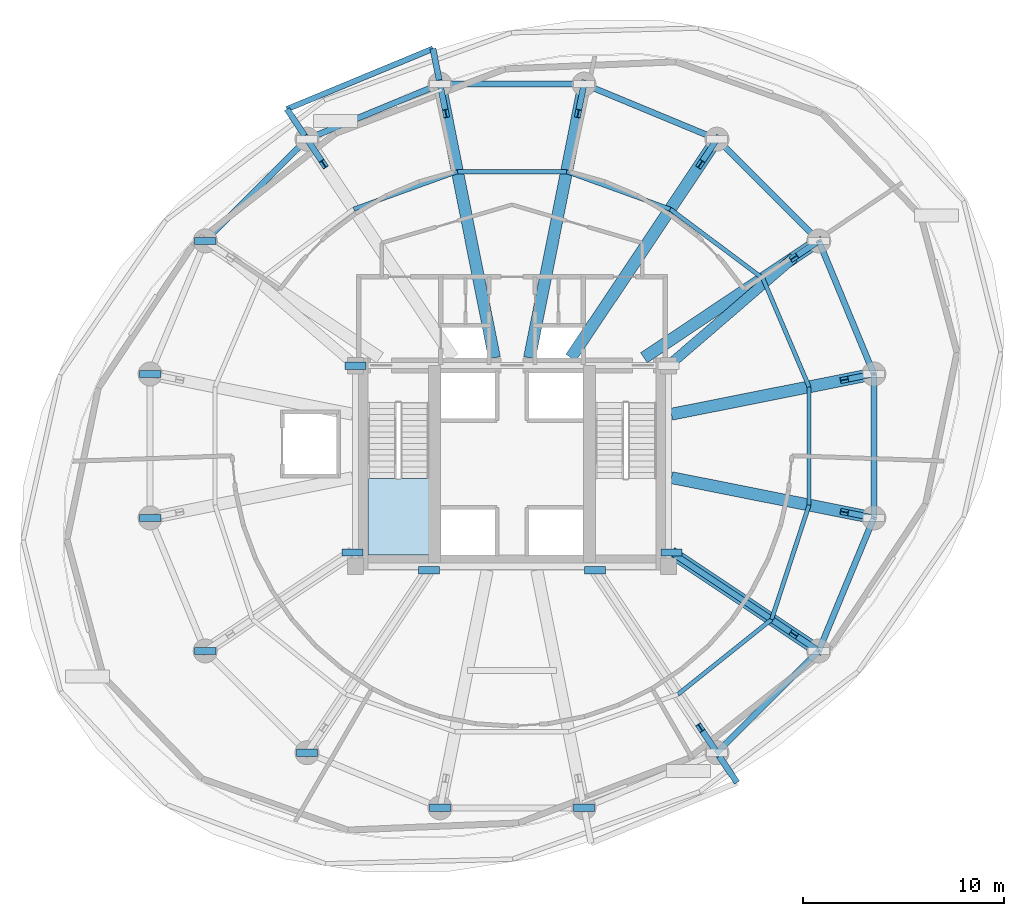
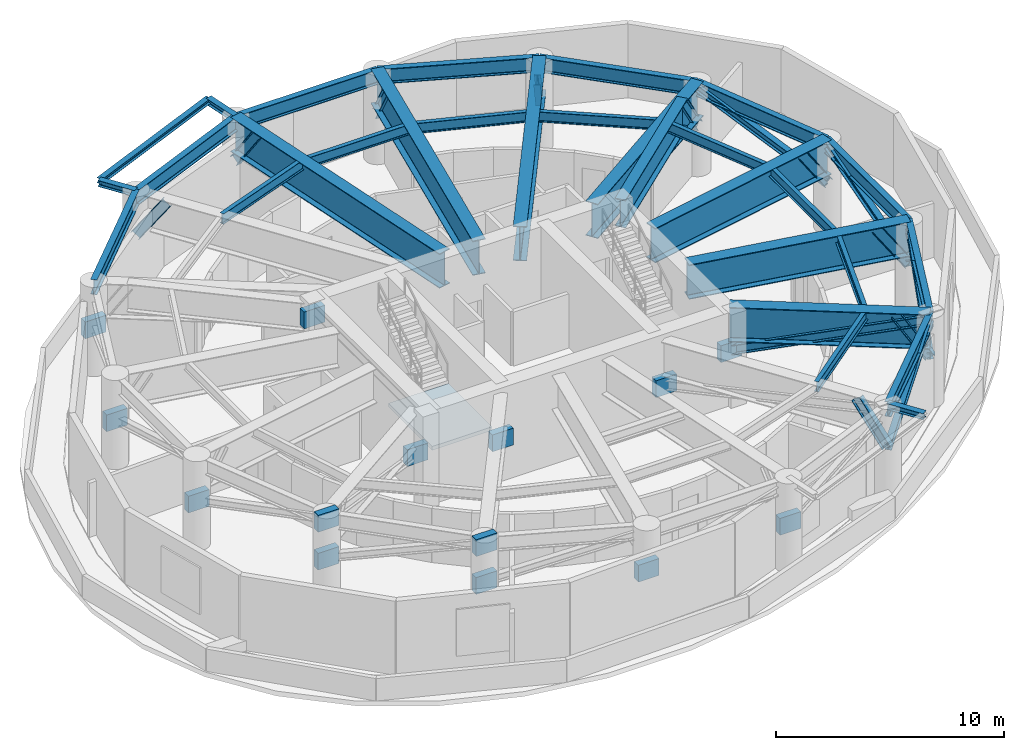
# One storey, part 2 of 7: 29 beams, 14 members, 14 plates, 1 slab, 1 element without a shape of its own.
"""IFC4 building model written with IfcOpenShell, lengths in metres."""

from ifc_helpers import new_model, si_unit, direction, frame, origin, origin_2d, place, context, subcontext, project, spatial, polyline, rectangle, i_section, outline, extrude, material, layer, layer_set, material_profile, profile_set, type_object, element, aggregate, save


model = new_model("IFC4")

# Units and contexts
model_context = context("Model", 3, precision=1e-05, world=origin(), true_north=direction((0.0, 1.0)))
body_context = subcontext(model_context, "Body", "Model", "MODEL_VIEW")
ifc_project = project(units=[si_unit("LENGTHUNIT", "METRE"), si_unit("AREAUNIT", "SQUARE_METRE"), si_unit("VOLUMEUNIT", "CUBIC_METRE"), si_unit("PLANEANGLEUNIT", "RADIAN"), si_unit("MASSUNIT", "GRAM", prefix="KILO"), si_unit("THERMODYNAMICTEMPERATUREUNIT", "KELVIN"), si_unit("POWERUNIT", "WATT")], contexts=[model_context])

# Site, building, storey
site_placement = place(None, origin())
site = spatial("IfcSite", under=ifc_project, at=site_placement, CompositionType="ELEMENT")
building_placement = place(site_placement, origin())
building = spatial("IfcBuilding", under=site, at=building_placement, Name="Ocrelia Relay Tower", CompositionType="ELEMENT")
storey_placement = place(building_placement, frame((0.0, 0.0, 157.800048828125)))
storey = spatial("IfcBuildingStorey", under=building, at=storey_placement, Name="L37", CompositionType="ELEMENT", Elevation=157.800048828125)

# Beams
ifc_material_1 = material(Name="Steel S355", Category="steel")
ifc_material_profile_1 = material_profile(ifc_material_1, i_section(OverallWidth=0.280029296875, OverallDepth=0.27001953125, WebThickness=0.008056640625, FlangeThickness=0.012939453125, FilletRadius=0.02392578125, at=origin_2d()), Name="HEA 280")
ifc_profile_set_1 = profile_set([ifc_material_profile_1], Name="Steel S355")
beam_type_1 = type_object("IfcBeamType", Name="BM-HEA280", PredefinedType="BEAM", material=ifc_profile_set_1)
beam_1_placement = place(storey_placement, frame((30.05908203125, 45.811767578125, 4.64501953125), z_axis=(-0.923878650857, -0.382685560861, 0.0), x_axis=(0.382685560861, -0.923878650857, 0.0)))
element("IfcBeam", 1, at=beam_1_placement, inside=storey, type_object=beam_type_1, Name="L38 Balcony Edge Trimmer Beam B1", PredefinedType="BEAM", context=body_context, shape_type="SweptSolid", body=[
    extrude(i_section(OverallWidth=0.280029296875, OverallDepth=0.27001953125, WebThickness=0.008056640625, FlangeThickness=0.012939453125, FilletRadius=0.02392578125, at=origin_2d()), origin(), (0.0, 0.0, 1.0), 7.88134765625),
])
ifc_material_profile_2 = material_profile(ifc_material_1, i_section(OverallWidth=0.300048828125, OverallDepth=0.330078125, WebThickness=0.009521484375, FlangeThickness=0.0166015625, FilletRadius=0.027099609375, at=origin_2d()), Name="HEA 340")
ifc_profile_set_2 = profile_set([ifc_material_profile_2], Name="Steel S355")
beam_type_2 = type_object("IfcBeamType", Name="BM-HEA340", PredefinedType="BEAM", material=ifc_profile_set_2)
for number, where, z_axis, x_axis, name in (
    (2, (30.410400390625, 44.04638671875, 4.614990234375), (-0.19517704197, 0.980768026746, 0.0), (-0.980768026746, -0.19517704197, 0.0), "L38 Balcony Cantilever Beam B1-1"),
    (3, (23.777587890625, 41.299072265625, 4.614990234375), (-0.555576323502, 0.83146554274, 0.0), (-0.83146554274, -0.555576323502, 0.0), "L38 Balcony Cantilever Beam B1-2"),
    (4, (44.222412109375, 10.700927734375, 4.614990234375), (0.555576323502, -0.83146554274, 0.0), (0.83146554274, 0.555576323502, 0.0), "L38 Balcony Cantilever Beam B2-2"),
):
    element("IfcBeam", number, at=place(storey_placement, frame(where, z_axis=z_axis, x_axis=x_axis)), inside=storey, type_object=beam_type_2, Name=name, PredefinedType="BEAM", context=body_context, shape_type="SweptSolid", body=[
        extrude(i_section(OverallWidth=0.300048828125, OverallDepth=0.330078125, WebThickness=0.009521484375, FlangeThickness=0.0166015625, FilletRadius=0.027099609375, at=origin_2d()), origin(), (0.0, 0.0, 1.0), 1.800048828125),
    ])
ifc_material_profile_3 = material_profile(ifc_material_1, i_section(OverallWidth=0.300048828125, OverallDepth=0.800048828125, WebThickness=0.017578125, FlangeThickness=0.032958984375, FilletRadius=0.030029296875, at=origin_2d()), Name="HEB 800")
ifc_profile_set_3 = profile_set([ifc_material_profile_3], Name="Steel S355")
beam_type_3 = type_object("IfcBeamType", Name="BM-HEB800", PredefinedType="BEAM", material=ifc_profile_set_3)
beam_2_placement = place(storey_placement, frame((52.04638671875, 29.589599609375, 4.3798828125), z_axis=(-0.382673155247, 0.923883789366, 0.0), x_axis=(-0.923883789366, -0.382673155247, 0.0)))
element("IfcBeam", 5, at=beam_2_placement, inside=storey, type_object=beam_type_3, Name="L37 Perimeter Spandrel Beam S01", PredefinedType="BEAM", context=body_context, shape_type="SweptSolid", body=[
    extrude(i_section(OverallWidth=0.300048828125, OverallDepth=0.800048828125, WebThickness=0.017578125, FlangeThickness=0.032958984375, FilletRadius=0.030029296875, at=origin_2d()), origin(), (0.0, 0.0, 1.0), 7.17919921875),
])
beam_3_placement = place(storey_placement, frame((49.299072265625, 36.222412109375, 4.3798828125), z_axis=(-0.707106781187, 0.707106781187, 0.0), x_axis=(-0.707106781187, -0.707106781187, 0.0)))
element("IfcBeam", 6, at=beam_3_placement, inside=storey, type_object=beam_type_3, Name="L37 Perimeter Spandrel Beam S02", PredefinedType="BEAM", context=body_context, shape_type="SweptSolid", body=[
    extrude(i_section(OverallWidth=0.300048828125, OverallDepth=0.800048828125, WebThickness=0.017578125, FlangeThickness=0.032958984375, FilletRadius=0.030029296875, at=origin_2d()), origin(), (0.0, 0.0, 1.0), 7.179443359375),
])
for number, where, z_axis, x_axis, name in (
    (7, (44.222412109375, 41.299072265625, 4.3798828125), (-0.923883789366, 0.382673155247, 0.0), (-0.382673155247, -0.923883789366, 0.0), "L37 Perimeter Spandrel Beam S03"),
    (8, (37.589599609375, 44.04638671875, 4.3798828125), (-1.0, 0.0, 0.0), (0.0, -1.0, 0.0), "L37 Perimeter Spandrel Beam S04"),
    (9, (30.410400390625, 44.04638671875, 4.3798828125), (-0.923883789366, -0.382673155247, 0.0), (0.382673155247, -0.923883789366, 0.0), "L37 Perimeter Spandrel Beam S05"),
):
    element("IfcBeam", number, at=place(storey_placement, frame(where, z_axis=z_axis, x_axis=x_axis)), inside=storey, type_object=beam_type_3, Name=name, PredefinedType="BEAM", context=body_context, shape_type="SweptSolid", body=[
        extrude(i_section(OverallWidth=0.300048828125, OverallDepth=0.800048828125, WebThickness=0.017578125, FlangeThickness=0.032958984375, FilletRadius=0.030029296875, at=origin_2d()), origin(), (0.0, 0.0, 1.0), 7.17919921875),
    ])
for number, where, z_axis, x_axis, name in (
    (10, (23.777587890625, 41.299072265625, 4.3798828125), (-0.707106781187, -0.707106781187, 0.0), (0.707106781187, -0.707106781187, 0.0), "L37 Perimeter Spandrel Beam S06"),
    (11, (44.222412109375, 10.700927734375, 4.3798828125), (0.707106781187, 0.707106781187, 0.0), (-0.707106781187, 0.707106781187, 0.0), "L37 Perimeter Spandrel Beam S14"),
):
    element("IfcBeam", number, at=place(storey_placement, frame(where, z_axis=z_axis, x_axis=x_axis)), inside=storey, type_object=beam_type_3, Name=name, PredefinedType="BEAM", context=body_context, shape_type="SweptSolid", body=[
        extrude(i_section(OverallWidth=0.300048828125, OverallDepth=0.800048828125, WebThickness=0.017578125, FlangeThickness=0.032958984375, FilletRadius=0.030029296875, at=origin_2d()), origin(), (0.0, 0.0, 1.0), 7.179443359375),
    ])
for number, where, z_axis, x_axis, name in (
    (12, (49.299072265625, 15.777587890625, 4.3798828125), (0.382673155247, 0.923883789366, 0.0), (-0.923883789366, 0.382673155247, 0.0), "L37 Perimeter Spandrel Beam S15"),
    (13, (52.04638671875, 22.410400390625, 4.3798828125), (0.0, 1.0, 0.0), (-1.0, 0.0, 0.0), "L37 Perimeter Spandrel Beam S16"),
):
    element("IfcBeam", number, at=place(storey_placement, frame(where, z_axis=z_axis, x_axis=x_axis)), inside=storey, type_object=beam_type_3, Name=name, PredefinedType="BEAM", context=body_context, shape_type="SweptSolid", body=[
        extrude(i_section(OverallWidth=0.300048828125, OverallDepth=0.800048828125, WebThickness=0.017578125, FlangeThickness=0.032958984375, FilletRadius=0.030029296875, at=origin_2d()), origin(), (0.0, 0.0, 1.0), 7.17919921875),
    ])
ifc_material_profile_4 = material_profile(ifc_material_1, i_section(OverallWidth=0.2099609375, OverallDepth=0.550048828125, WebThickness=0.010986328125, FlangeThickness=0.01708984375, FilletRadius=0.02392578125, at=origin_2d()), Name="IPE 550")
ifc_profile_set_4 = profile_set([ifc_material_profile_4], Name="Steel S355")
beam_type_4 = type_object("IfcBeamType", Name="BM-IPE550", PredefinedType="JOIST", material=ifc_profile_set_4)
beam_4_placement = place(storey_placement, frame((48.815673828125, 28.947021484375, 4.5048828125), z_axis=(-0.391849705227, 0.920029243293, 0.0), x_axis=(-0.920029243293, -0.391849705227, 0.0)))
element("IfcBeam", 14, at=beam_4_placement, inside=storey, type_object=beam_type_4, Name="L37 Secondary Floor Joist J01", PredefinedType="JOIST", context=body_context, shape_type="SweptSolid", body=[
    extrude(i_section(OverallWidth=0.2099609375, OverallDepth=0.550048828125, WebThickness=0.010986328125, FlangeThickness=0.01708984375, FilletRadius=0.02392578125, at=origin_2d()), origin(), (0.0, 0.0, 1.0), 5.8828125),
])
beam_5_placement = place(storey_placement, frame((46.510498046875, 34.359375, 4.5048828125), z_axis=(-0.800989719568, 0.598678101442, 0.0), x_axis=(-0.598678101442, -0.800989719568, 0.0)))
element("IfcBeam", 15, at=beam_5_placement, inside=storey, type_object=beam_type_4, Name="L37 Secondary Floor Joist J02", PredefinedType="JOIST", context=body_context, shape_type="SweptSolid", body=[
    extrude(i_section(OverallWidth=0.2099609375, OverallDepth=0.550048828125, WebThickness=0.010986328125, FlangeThickness=0.01708984375, FilletRadius=0.02392578125, at=origin_2d()), origin(), (0.0, 0.0, 1.0), 5.765869140625),
])
beam_6_placement = place(storey_placement, frame((41.89208984375, 37.811279296875, 4.5048828125), z_axis=(-0.940487684239, 0.339827773724, 0.0), x_axis=(-0.339827773724, -0.940487684239, 0.0)))
element("IfcBeam", 16, at=beam_6_placement, inside=storey, type_object=beam_type_4, Name="L37 Secondary Floor Joist J03", PredefinedType="JOIST", context=body_context, shape_type="SweptSolid", body=[
    extrude(i_section(OverallWidth=0.2099609375, OverallDepth=0.550048828125, WebThickness=0.010986328125, FlangeThickness=0.01708984375, FilletRadius=0.02392578125, at=origin_2d()), origin(), (0.0, 0.0, 1.0), 5.498046875),
])
beam_7_placement = place(storey_placement, frame((36.72119140625, 39.6796875, 4.5048828125), z_axis=(-1.0, 0.0, 0.0), x_axis=(0.0, -1.0, 0.0)))
element("IfcBeam", 17, at=beam_7_placement, inside=storey, type_object=beam_type_4, Name="L37 Secondary Floor Joist J04", PredefinedType="JOIST", context=body_context, shape_type="SweptSolid", body=[
    extrude(i_section(OverallWidth=0.2099609375, OverallDepth=0.550048828125, WebThickness=0.010986328125, FlangeThickness=0.01708984375, FilletRadius=0.02392578125, at=origin_2d()), origin(), (0.0, 0.0, 1.0), 5.4423828125),
])
beam_8_placement = place(storey_placement, frame((31.27880859375, 39.6796875, 4.5048828125), z_axis=(-0.940487684239, -0.339827773724, 0.0), x_axis=(0.339827773724, -0.940487684239, 0.0)))
element("IfcBeam", 18, at=beam_8_placement, inside=storey, type_object=beam_type_4, Name="L37 Secondary Floor Joist J05", PredefinedType="JOIST", context=body_context, shape_type="SweptSolid", body=[
    extrude(i_section(OverallWidth=0.2099609375, OverallDepth=0.550048828125, WebThickness=0.010986328125, FlangeThickness=0.01708984375, FilletRadius=0.02392578125, at=origin_2d()), origin(), (0.0, 0.0, 1.0), 5.498046875),
])
beam_9_placement = place(storey_placement, frame((42.277099609375, 13.61279296875, 4.5048828125), z_axis=(0.780872792004, 0.624690069321, 0.0), x_axis=(-0.624690069321, 0.780872792004, 0.0)))
element("IfcBeam", 19, at=beam_9_placement, inside=storey, type_object=beam_type_4, Name="L37 Secondary Floor Joist J14", PredefinedType="JOIST", context=body_context, shape_type="SweptSolid", body=[
    extrude(i_section(OverallWidth=0.2099609375, OverallDepth=0.550048828125, WebThickness=0.010986328125, FlangeThickness=0.01708984375, FilletRadius=0.02392578125, at=origin_2d()), origin(), (0.0, 0.0, 1.0), 5.980712890625),
])
beam_10_placement = place(storey_placement, frame((46.947265625, 17.348876953125, 4.5048828125), z_axis=(0.311281530226, 0.950317741043, 0.0), x_axis=(-0.950317741043, 0.311281530226, 0.0)))
element("IfcBeam", 20, at=beam_10_placement, inside=storey, type_object=beam_type_4, Name="L37 Secondary Floor Joist J15", PredefinedType="JOIST", context=body_context, shape_type="SweptSolid", body=[
    extrude(i_section(OverallWidth=0.2099609375, OverallDepth=0.550048828125, WebThickness=0.010986328125, FlangeThickness=0.01708984375, FilletRadius=0.02392578125, at=origin_2d()), origin(), (0.0, 0.0, 1.0), 6.002197265625),
])
beam_11_placement = place(storey_placement, frame((48.815673828125, 23.052978515625, 4.5048828125), z_axis=(0.0, 1.0, 0.0), x_axis=(-1.0, 0.0, 0.0)))
element("IfcBeam", 21, at=beam_11_placement, inside=storey, type_object=beam_type_4, Name="L37 Secondary Floor Joist J16", PredefinedType="JOIST", context=body_context, shape_type="SweptSolid", body=[
    extrude(i_section(OverallWidth=0.2099609375, OverallDepth=0.550048828125, WebThickness=0.010986328125, FlangeThickness=0.01708984375, FilletRadius=0.02392578125, at=origin_2d()), origin(), (0.0, 0.0, 1.0), 5.89404296875),
])
ifc_material_profile_5 = material_profile(ifc_material_1, i_section(OverallWidth=0.5, OverallDepth=1.5, WebThickness=0.02587890625, FlangeThickness=0.0380859375, FilletRadius=0.02001953125, at=origin_2d()), Name="WPG 1500x500")
ifc_profile_set_5 = profile_set([ifc_material_profile_5], Name="Steel S355")
beam_type_5 = type_object("IfcBeamType", Name="BM-WPG1500", PredefinedType="T_BEAM", material=ifc_profile_set_5)
beam_12_placement = place(storey_placement, frame((48.0517578125, 35.38916015625, 4.030029296875), z_axis=(-0.757424589403, -0.652922653434, 0.0), x_axis=(0.652922653434, -0.757424589403, 0.0)))
element("IfcBeam", 22, at=beam_12_placement, inside=storey, type_object=beam_type_5, Name="L37 Zone Setback Core Link Girder XL02", PredefinedType="T_BEAM", context=body_context, shape_type="SweptSolid", body=[
    extrude(i_section(OverallWidth=0.5, OverallDepth=1.5, WebThickness=0.02587890625, FlangeThickness=0.0380859375, FilletRadius=0.02001953125, at=origin_2d()), origin(), (0.0, 0.0, 1.0), 8.25390625),
])
ifc_material_profile_6 = material_profile(ifc_material_1, i_section(OverallWidth=0.60009765625, OverallDepth=1.85009765625, WebThickness=0.028076171875, FlangeThickness=0.0400390625, FilletRadius=0.02001953125, at=origin_2d()), Name="WPG 1850x600")
ifc_profile_set_6 = profile_set([ifc_material_profile_6], Name="Steel S355")
beam_type_6 = type_object("IfcBeamType", Name="BM-WPG1650", PredefinedType="T_BEAM", material=ifc_profile_set_6)
beam_13_placement = place(storey_placement, frame((52.04638671875, 29.589599609375, 3.85498046875), z_axis=(-0.980785375486, -0.195089844003, 0.0), x_axis=(0.195089844003, -0.980785375486, 0.0)))
element("IfcBeam", 23, at=beam_13_placement, inside=storey, type_object=beam_type_6, Name="L37 Radial Transfer Girder R01", PredefinedType="T_BEAM", context=body_context, shape_type="SweptSolid", body=[
    extrude(i_section(OverallWidth=0.60009765625, OverallDepth=1.85009765625, WebThickness=0.028076171875, FlangeThickness=0.0400390625, FilletRadius=0.02001953125, at=origin_2d()), origin(), (0.0, 0.0, 1.0), 10.294189453125),
])
beam_14_placement = place(storey_placement, frame((49.299072265625, 36.222412109375, 3.85498046875), z_axis=(-0.831472841898, -0.555565399558, 0.0), x_axis=(0.555565399558, -0.831472841898, 0.0)))
element("IfcBeam", 24, at=beam_14_placement, inside=storey, type_object=beam_type_6, Name="L37 Radial Transfer Girder R02", PredefinedType="T_BEAM", context=body_context, shape_type="SweptSolid", body=[
    extrude(i_section(OverallWidth=0.60009765625, OverallDepth=1.85009765625, WebThickness=0.028076171875, FlangeThickness=0.0400390625, FilletRadius=0.02001953125, at=origin_2d()), origin(), (0.0, 0.0, 1.0), 10.480224609375),
])
beam_15_placement = place(storey_placement, frame((44.222412109375, 41.299072265625, 3.85498046875), z_axis=(-0.555563808642, -0.831473904898, 0.0), x_axis=(0.831473904898, -0.555563808642, 0.0)))
element("IfcBeam", 25, at=beam_15_placement, inside=storey, type_object=beam_type_6, Name="L37 Radial Transfer Girder R03", PredefinedType="T_BEAM", context=body_context, shape_type="SweptSolid", body=[
    extrude(i_section(OverallWidth=0.60009765625, OverallDepth=1.85009765625, WebThickness=0.028076171875, FlangeThickness=0.0400390625, FilletRadius=0.02001953125, at=origin_2d()), origin(), (0.0, 0.0, 1.0), 13.108154296875),
])
for number, where, z_axis, x_axis, name in (
    (26, (37.589599609375, 44.04638671875, 3.85498046875), (-0.195083474499, -0.980786642434, 0.0), (0.980786642434, -0.195083474499, 0.0), "L37 Radial Transfer Girder R04"),
    (27, (30.410400390625, 44.04638671875, 3.85498046875), (0.195083474499, -0.980786642434, 0.0), (0.980786642434, 0.195083474499, 0.0), "L37 Radial Transfer Girder R05"),
):
    element("IfcBeam", number, at=place(storey_placement, frame(where, z_axis=z_axis, x_axis=x_axis)), inside=storey, type_object=beam_type_6, Name=name, PredefinedType="T_BEAM", context=body_context, shape_type="SweptSolid", body=[
        extrude(i_section(OverallWidth=0.60009765625, OverallDepth=1.85009765625, WebThickness=0.028076171875, FlangeThickness=0.0400390625, FilletRadius=0.02001953125, at=origin_2d()), origin(), (0.0, 0.0, 1.0), 13.913818359375),
    ])
beam_16_placement = place(storey_placement, frame((49.299072265625, 15.777587890625, 3.85498046875), z_axis=(-0.831476162537, 0.555560429776, 0.0), x_axis=(-0.555560429776, -0.831476162537, 0.0)))
element("IfcBeam", 28, at=beam_16_placement, inside=storey, type_object=beam_type_6, Name="L37 Radial Transfer Girder R15", PredefinedType="T_BEAM", context=body_context, shape_type="SweptSolid", body=[
    extrude(i_section(OverallWidth=0.60009765625, OverallDepth=1.85009765625, WebThickness=0.028076171875, FlangeThickness=0.0400390625, FilletRadius=0.02001953125, at=origin_2d()), origin(), (0.0, 0.0, 1.0), 8.838623046875),
])
beam_17_placement = place(storey_placement, frame((52.04638671875, 22.410400390625, 3.85498046875), z_axis=(-0.980785375486, 0.195089844003, 0.0), x_axis=(-0.195089844003, -0.980785375486, 0.0)))
element("IfcBeam", 29, at=beam_17_placement, inside=storey, type_object=beam_type_6, Name="L37 Radial Transfer Girder R16", PredefinedType="T_BEAM", context=body_context, shape_type="SweptSolid", body=[
    extrude(i_section(OverallWidth=0.60009765625, OverallDepth=1.85009765625, WebThickness=0.028076171875, FlangeThickness=0.0400390625, FilletRadius=0.02001953125, at=origin_2d()), origin(), (0.0, 0.0, 1.0), 10.294189453125),
])

# Members
ifc_material_profile_7 = material_profile(ifc_material_1, i_section(OverallWidth=0.300048828125, OverallDepth=0.39990234375, WebThickness=0.013427734375, FlangeThickness=0.02392578125, FilletRadius=0.027099609375, at=origin_2d()), Name="HEB 400")
ifc_profile_set_7 = profile_set([ifc_material_profile_7], Name="Steel S355")
member_type_1 = type_object("IfcMemberType", Name="MB-BELT-DIAG", PredefinedType="BRACE", material=ifc_profile_set_7)
member_1_placement = place(storey_placement, frame((52.04638671875, 29.589599609375, 2.349853515625), z_axis=(-0.367556604036, 0.887388058158, 0.278288657815), x_axis=(-0.923883789366, -0.382673155247, 0.0)))
element("IfcMember", 30, at=member_1_placement, inside=storey, type_object=member_type_1, Name="L37 Perimeter Belt Truss Diagonal B01", PredefinedType="BRACE", context=body_context, shape_type="SweptSolid", body=[
    extrude(i_section(OverallWidth=0.300048828125, OverallDepth=0.39990234375, WebThickness=0.013427734375, FlangeThickness=0.02392578125, FilletRadius=0.027099609375, at=origin_2d()), origin(), (0.0, 0.0, 1.0), 7.474609375),
])
member_2_placement = place(storey_placement, frame((44.222412109375, 10.700927734375, 2.349853515625), z_axis=(0.679175826524, 0.679175826524, 0.278281140809), x_axis=(-0.707106781187, 0.707106781187, 0.0)))
element("IfcMember", 31, at=member_2_placement, inside=storey, type_object=member_type_1, Name="L37 Perimeter Belt Truss Diagonal B14", PredefinedType="BRACE", context=body_context, shape_type="SweptSolid", body=[
    extrude(i_section(OverallWidth=0.300048828125, OverallDepth=0.39990234375, WebThickness=0.013427734375, FlangeThickness=0.02392578125, FilletRadius=0.027099609375, at=origin_2d()), origin(), (0.0, 0.0, 1.0), 7.474853515625),
])
member_3_placement = place(storey_placement, frame((49.299072265625, 15.777587890625, 2.349853515625), z_axis=(0.367556604036, 0.887388058158, 0.278288657815), x_axis=(-0.923883789366, 0.382673155247, 0.0)))
element("IfcMember", 32, at=member_3_placement, inside=storey, type_object=member_type_1, Name="L37 Perimeter Belt Truss Diagonal B15", PredefinedType="BRACE", context=body_context, shape_type="SweptSolid", body=[
    extrude(i_section(OverallWidth=0.300048828125, OverallDepth=0.39990234375, WebThickness=0.013427734375, FlangeThickness=0.02392578125, FilletRadius=0.027099609375, at=origin_2d()), origin(), (0.0, 0.0, 1.0), 7.474609375),
])
member_4_placement = place(storey_placement, frame((52.04638671875, 22.410400390625, 2.349853515625), z_axis=(0.0, 0.960496738936, 0.278291240418), x_axis=(-1.0, 0.0, 0.0)))
element("IfcMember", 33, at=member_4_placement, inside=storey, type_object=member_type_1, Name="L37 Perimeter Belt Truss Diagonal B16", PredefinedType="BRACE", context=body_context, shape_type="SweptSolid", body=[
    extrude(i_section(OverallWidth=0.300048828125, OverallDepth=0.39990234375, WebThickness=0.013427734375, FlangeThickness=0.02392578125, FilletRadius=0.027099609375, at=origin_2d()), origin(), (0.0, 0.0, 1.0), 7.474365234375),
])
ifc_material_profile_8 = material_profile(ifc_material_1, i_section(OverallWidth=0.300048828125, OverallDepth=0.5, WebThickness=0.014404296875, FlangeThickness=0.028076171875, FilletRadius=0.027099609375, at=origin_2d()), Name="HEB 500")
ifc_profile_set_8 = profile_set([ifc_material_profile_8], Name="Steel S355")
member_type_2 = type_object("IfcMemberType", Name="MB-OUTRIGGER-DIAG", PredefinedType="BRACE", material=ifc_profile_set_8)
member_5_placement = place(storey_placement, frame((41.949951171875, 20.68798828125, 2.349853515625), z_axis=(0.81037662172, -0.541462527163, 0.223848302757), x_axis=(0.555560429776, 0.831476162537, 0.0)))
element("IfcMember", 34, at=member_5_placement, inside=storey, type_object=member_type_2, Name="L37 Core Outrigger Truss Brace O15", PredefinedType="BRACE", context=body_context, shape_type="SweptSolid", body=[
    extrude(i_section(OverallWidth=0.300048828125, OverallDepth=0.5, WebThickness=0.014404296875, FlangeThickness=0.028076171875, FilletRadius=0.027099609375, at=origin_2d()), origin(), (0.0, 0.0, 1.0), 9.06884765625),
])
ifc_material_profile_9 = material_profile(ifc_material_1, i_section(OverallWidth=0.300048828125, OverallDepth=0.5, WebThickness=0.014404296875, FlangeThickness=0.028076171875, FilletRadius=0.027099609375, at=origin_2d()), Name="HEB 500")
ifc_profile_set_9 = profile_set([ifc_material_profile_9], Name="Steel S355")
member_type_3 = type_object("IfcMemberType", Name="MB-RAKER-STRUT", PredefinedType="STRUT", material=ifc_profile_set_9)
member_6_placement = place(storey_placement, frame((52.04638671875, 29.589599609375, 2.349853515625), z_axis=(-0.555934386417, -0.110522634406, 0.823845680503), x_axis=(0.194989189992, -0.980805391393, 0.0)))
element("IfcMember", 35, at=member_6_placement, inside=storey, type_object=member_type_3, Name="L37 Zone Setback Raker Strut RS01", PredefinedType="STRUT", context=body_context, shape_type="SweptSolid", body=[
    extrude(i_section(OverallWidth=0.300048828125, OverallDepth=0.5, WebThickness=0.014404296875, FlangeThickness=0.028076171875, FilletRadius=0.027099609375, at=origin_2d()), origin(), (0.0, 0.0, 1.0), 2.646240234375),
])
for number, where, z_axis, x_axis, name in (
    (36, (49.299072265625, 36.222412109375, 2.349853515625), (-0.471330520602, -0.314866131692, 0.82383667038), (0.555488691107, -0.831524091083, 0.0), "L37 Zone Setback Raker Strut RS02"),
    (37, (44.222412109375, 41.299072265625, 2.349853515625), (-0.314866131692, -0.471330520602, 0.82383667038), (0.831524091083, -0.555488691107, 0.0), "L37 Zone Setback Raker Strut RS03"),
):
    element("IfcMember", number, at=place(storey_placement, frame(where, z_axis=z_axis, x_axis=x_axis)), inside=storey, type_object=member_type_3, Name=name, PredefinedType="STRUT", context=body_context, shape_type="SweptSolid", body=[
        extrude(i_section(OverallWidth=0.300048828125, OverallDepth=0.5, WebThickness=0.014404296875, FlangeThickness=0.028076171875, FilletRadius=0.027099609375, at=origin_2d()), origin(), (0.0, 0.0, 1.0), 2.646484375),
    ])
for number, where, z_axis, x_axis, name in (
    (38, (37.589599609375, 44.04638671875, 2.349853515625), (-0.110522634406, -0.555934386417, 0.823845680503), (0.980805391393, -0.194989189992, 0.0), "L37 Zone Setback Raker Strut RS04"),
    (39, (30.410400390625, 44.04638671875, 2.349853515625), (0.110522634406, -0.555934386417, 0.823845680503), (0.980805391393, 0.194989189992, 0.0), "L37 Zone Setback Raker Strut RS05"),
):
    element("IfcMember", number, at=place(storey_placement, frame(where, z_axis=z_axis, x_axis=x_axis)), inside=storey, type_object=member_type_3, Name=name, PredefinedType="STRUT", context=body_context, shape_type="SweptSolid", body=[
        extrude(i_section(OverallWidth=0.300048828125, OverallDepth=0.5, WebThickness=0.014404296875, FlangeThickness=0.028076171875, FilletRadius=0.027099609375, at=origin_2d()), origin(), (0.0, 0.0, 1.0), 2.646240234375),
    ])
for number, where, z_axis, x_axis, name in (
    (40, (23.777587890625, 41.299072265625, 2.349853515625), (0.314866131692, -0.471330520602, 0.82383667038), (0.831524091083, 0.555488691107, 0.0), "L37 Zone Setback Raker Strut RS06"),
    (41, (44.222412109375, 10.700927734375, 2.349853515625), (-0.314866131692, 0.471330520602, 0.82383667038), (-0.831524091083, -0.555488691107, 0.0), "L37 Zone Setback Raker Strut RS14"),
    (42, (49.299072265625, 15.777587890625, 2.349853515625), (-0.471330520602, 0.314866131692, 0.82383667038), (-0.555488691107, -0.831524091083, 0.0), "L37 Zone Setback Raker Strut RS15"),
):
    element("IfcMember", number, at=place(storey_placement, frame(where, z_axis=z_axis, x_axis=x_axis)), inside=storey, type_object=member_type_3, Name=name, PredefinedType="STRUT", context=body_context, shape_type="SweptSolid", body=[
        extrude(i_section(OverallWidth=0.300048828125, OverallDepth=0.5, WebThickness=0.014404296875, FlangeThickness=0.028076171875, FilletRadius=0.027099609375, at=origin_2d()), origin(), (0.0, 0.0, 1.0), 2.646484375),
    ])
member_7_placement = place(storey_placement, frame((52.04638671875, 22.410400390625, 2.349853515625), z_axis=(-0.555934386417, 0.110522634406, 0.823845680503), x_axis=(-0.194989189992, -0.980805391393, 0.0)))
element("IfcMember", 43, at=member_7_placement, inside=storey, type_object=member_type_3, Name="L37 Zone Setback Raker Strut RS16", PredefinedType="STRUT", context=body_context, shape_type="SweptSolid", body=[
    extrude(i_section(OverallWidth=0.300048828125, OverallDepth=0.5, WebThickness=0.014404296875, FlangeThickness=0.028076171875, FilletRadius=0.027099609375, at=origin_2d()), origin(), (0.0, 0.0, 1.0), 2.646240234375),
])

# Plates
ifc_layer_1 = layer(ifc_material_1, 0.035888671875, Name="Steel S355")
ifc_layer_set_1 = layer_set([ifc_layer_1], Name="Steel S355")
plate_type = type_object("IfcPlateType", Name="PL-NODE-ND-04", PredefinedType="USERDEFINED", material=ifc_layer_set_1)
for number, where, z_axis, x_axis, name in (
    (44, (26.199951171875, 30.0, 3.580078125), (0.0, 0.0, 1.0), (1.0, 0.0, 0.0), "L37 Core Link Cast-In Wall Plate ND-04 (07)"),
    (45, (18.700927734375, 15.777587890625, 3.929931640625), (0.0, 0.0, 1.0), (1.0, 0.0, 0.0), "L37 Outrigger Gusset Node ND-04 (10)"),
    (46, (26.050048828125, 20.68798828125, 1.89990234375), (0.0, 0.0, 1.0), (1.0, 0.0, 0.0), "L37 Outrigger Core Embed Node ND-04 (10)"),
    (47, (23.777587890625, 10.700927734375, 3.929931640625), (0.0, 0.0, 1.0), (1.0, 0.0, 0.0), "L37 Outrigger Gusset Node ND-04 (11)"),
    (48, (29.857421875, 19.800048828125, 1.89990234375), (0.0, 0.0, 1.0), (1.0, 0.0, 0.0), "L37 Outrigger Core Embed Node ND-04 (11)"),
    (49, (38.142578125, 19.800048828125, 1.89990234375), (0.0, 0.0, 1.0), (1.0, 0.0, 0.0), "L37 Outrigger Core Embed Node ND-04 (14)"),
    (50, (41.949951171875, 20.68798828125, 1.89990234375), (0.0, 0.0, 1.0), (1.0, 0.0, 0.0), "L37 Outrigger Core Embed Node ND-04 (15)"),
    (51, (18.700927734375, 36.222412109375, 1.89990234375), (0.0, 0.0, 1.0), (1.0, 0.0, 0.0), "L37 Setback Raker Lower Node ND-04 (07)"),
    (52, (15.95361328125, 29.589599609375, 1.89990234375), (0.0, 0.0, 1.0), (1.0, 0.0, 0.0), "L37 Setback Raker Lower Node ND-04 (08)"),
    (53, (15.95361328125, 22.410400390625, 1.89990234375), (0.0, 0.0, 1.0), (1.0, 0.0, 0.0), "L37 Setback Raker Lower Node ND-04 (09)"),
    (54, (18.700927734375, 15.777587890625, 1.89990234375), (0.0, 0.0, 1.0), (1.0, 0.0, 0.0), "L37 Setback Raker Lower Node ND-04 (10)"),
    (55, (23.777587890625, 10.700927734375, 1.89990234375), (0.0, 0.0, 1.0), (1.0, 0.0, 0.0), "L37 Setback Raker Lower Node ND-04 (11)"),
    (56, (30.410400390625, 7.95361328125, 1.89990234375), (0.0, 0.0, 1.0), (1.0, 0.0, 0.0), "L37 Setback Raker Lower Node ND-04 (12)"),
    (57, (37.589599609375, 7.95361328125, 1.89990234375), (0.0, 0.0, 1.0), (1.0, 0.0, 0.0), "L37 Setback Raker Lower Node ND-04 (13)"),
):
    element("IfcPlate", number, at=place(storey_placement, frame(where, z_axis=z_axis, x_axis=x_axis)), inside=storey, type_object=plate_type, Name=name, ObjectType="GUSSET PLATE", PredefinedType="USERDEFINED", context=body_context, shape_type="SweptSolid", body=[
        extrude(rectangle(XDim=1.06005859375, YDim=0.360107421875, at=origin_2d()), origin(), (0.0, 0.0, 1.0), 0.89990234375),
    ])

# Stair, slab
ifc_material_2 = material(Name="Concrete C50/60", Category="concrete")
stair_type = type_object("IfcStairType", Name="ST-DL-1420-R179", PredefinedType="HALF_TURN_STAIR", material=ifc_material_2)
stair_placement = place(storey_placement, origin())
stair = element("IfcStair", 58, at=stair_placement, inside=storey, type_object=stair_type, Name="L37 West Core Exit Stair ST1", PredefinedType="HALF_TURN_STAIR")
ifc_layer_2 = layer(ifc_material_2, 0.199951171875, Name="Concrete C50/60")
ifc_layer_set_2 = layer_set([ifc_layer_2], Name="Concrete C50/60")
slab_type = type_object("IfcSlabType", Name="SL-LANDING-200", PredefinedType="LANDING", material=ifc_layer_set_2)
slab_placement = place(storey_placement, frame((0.0, 0.0, 2.300048828125)))
slab = element("IfcSlab", 59, at=slab_placement, type_object=slab_type, Name="ST1 landing 1", PredefinedType="LANDING", context=body_context, shape_type="SweptSolid", body=[
    extrude(outline(polyline([(26.81005859375, 24.3798828125), (26.81005859375, 20.550048828125), (29.85009765625, 20.550048828125), (29.85009765625, 24.3798828125), (26.81005859375, 24.3798828125)])), origin(), (0.0, 0.0, 1.0), 0.199951171875),
])
aggregate(stair, [slab])

save(model, "model.ifc")
